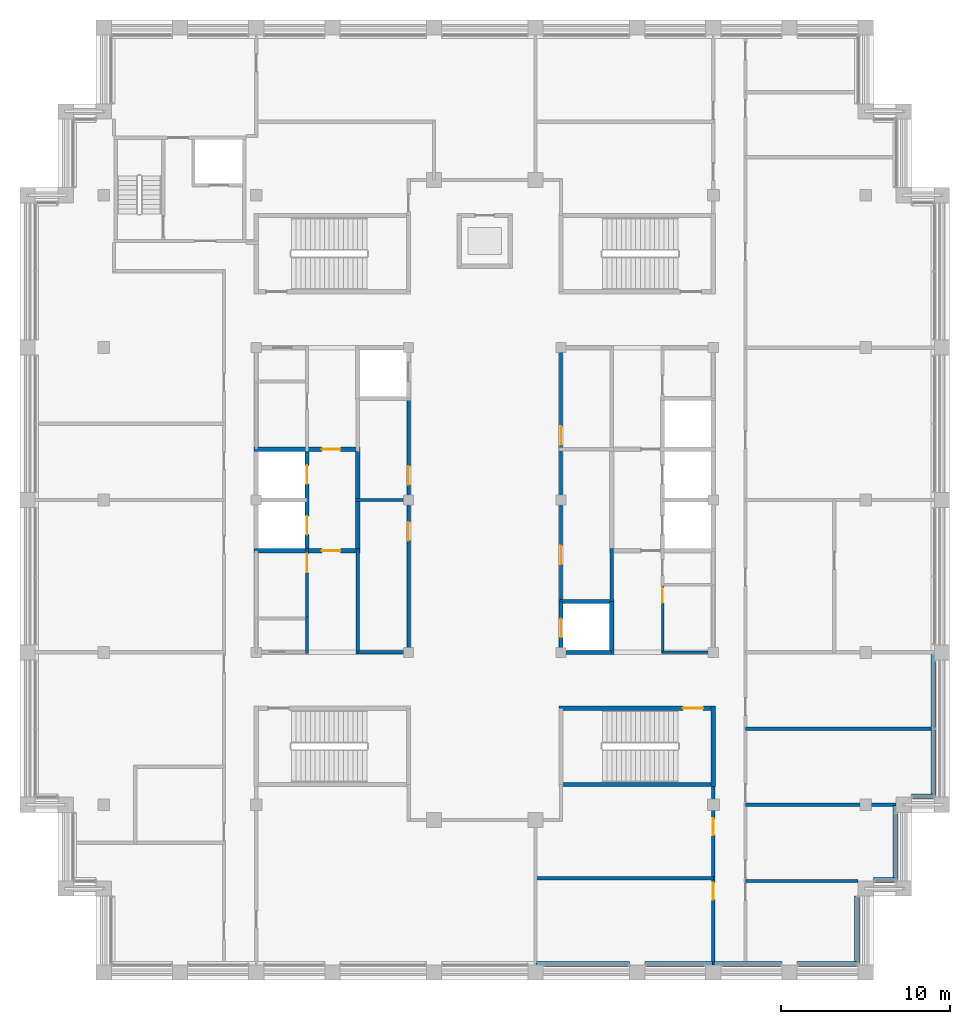
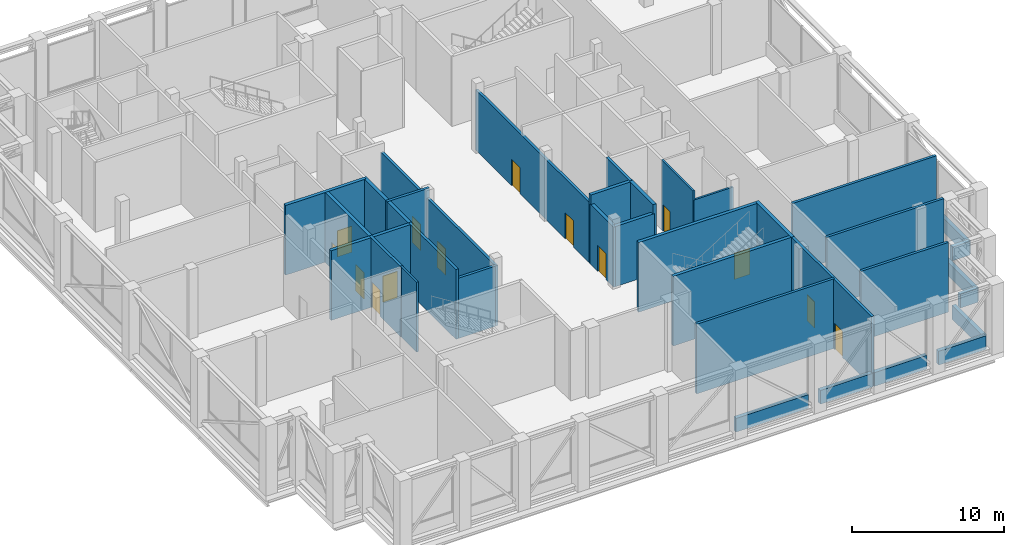
# One storey, part 12 of 17: 35 walls, 14 doors, 14 openings.
"""IFC4 building model written with IfcOpenShell, lengths in metres."""

import ifcopenshell
import ifcopenshell.guid

model = None  # the IFC model being written
_history = None  # IfcOwnerHistory: only IFC2X3 demands one
_inside = {}  # id of a spatial element -> (the spatial element, [elements in it])
_under = {}  # id of a project, library or spatial element -> (it, [spatial elements below it])
_declared = {}  # id of a project -> (the project, [libraries it declares])
_typed = {}  # id of a type object -> (the type object, [elements of that type])
_made_of = {}  # id of a material, layer set ... -> (it, [elements and type objects made of it])


def new_model(schema):
    """Start an empty IFC model of exactly this schema.

    Asked for "IFC4X3", IfcOpenShell would pick the latest addendum, in which some entities
    have other attributes; the version numbers below select the first issue.
    IFC2X3 requires an IfcOwnerHistory on every rooted entity: one is made here for all.
    """
    global model, _history
    if schema == "IFC4X3":
        model = ifcopenshell.file(schema_version=(4, 3, 0, 0))
    else:
        model = ifcopenshell.file(schema=schema)
    _inside.clear()
    _under.clear()
    _declared.clear()
    _typed.clear()
    _made_of.clear()
    _history = None
    if model.schema == "IFC2X3":
        org = make("IfcOrganization", Name="unknown")
        user = make(
            "IfcPersonAndOrganization",
            ThePerson=make("IfcPerson", FamilyName="unknown"),
            TheOrganization=org,
        )
        app = make(
            "IfcApplication",
            ApplicationDeveloper=org,
            Version="unknown",
            ApplicationFullName="unknown",
            ApplicationIdentifier="unknown",
        )
        _history = make(
            "IfcOwnerHistory",
            OwningUser=user,
            OwningApplication=app,
            ChangeAction="ADDED",
            CreationDate=0,
        )
    return model


def make(cls, **values):
    """One entity of the class cls with the attributes given. An attribute that is None is left unset."""
    return model.create_entity(
        cls, **{name: value for name, value in values.items() if value is not None}
    )


def rooted(cls, **values):
    """An entity with a GlobalId (a new one), such as an element, a storey or a relation."""
    return make(cls, GlobalId=ifcopenshell.guid.new(), OwnerHistory=_history, **values)


def si_unit(unit_type, name, prefix=None):
    """IfcSIUnit, for example si_unit("LENGTHUNIT", "METRE", prefix="MILLI")."""
    return make("IfcSIUnit", UnitType=unit_type, Prefix=prefix, Name=name)


def assignment(units):
    """IfcUnitAssignment: the units of a project."""
    return None if units is None else make("IfcUnitAssignment", Units=units)


def point(xyz):
    """IfcCartesianPoint."""
    return None if xyz is None else make("IfcCartesianPoint", Coordinates=xyz)


def direction(xyz):
    """IfcDirection."""
    return None if xyz is None else make("IfcDirection", DirectionRatios=xyz)


def frame(location, z_axis=None, x_axis=None):
    """IfcAxis2Placement3D, a coordinate frame: its origin and axes. An axis left out is left unset."""
    return make(
        "IfcAxis2Placement3D",
        Location=point(location),
        Axis=direction(z_axis),
        RefDirection=direction(x_axis),
    )


def frame_2d(location, x_axis=None):
    """IfcAxis2Placement2D, a coordinate frame in the plane: its origin and x axis."""
    return make(
        "IfcAxis2Placement2D", Location=point(location), RefDirection=direction(x_axis)
    )


def origin():
    """The frame at (0, 0, 0) with its axes left unset."""
    return frame((0.0, 0.0, 0.0))


def place(relative_to, where):
    """IfcLocalPlacement: puts the frame where relative to a parent placement (None: the world)."""
    return make(
        "IfcLocalPlacement", PlacementRelTo=relative_to, RelativePlacement=where
    )


def context(
    kind, dimensions, precision=None, world=None, true_north=None, identifier=None
):
    """IfcGeometricRepresentationContext, for example the 3D "Model" context."""
    return make(
        "IfcGeometricRepresentationContext",
        ContextIdentifier=identifier,
        ContextType=kind,
        CoordinateSpaceDimension=dimensions,
        Precision=precision,
        WorldCoordinateSystem=world,
        TrueNorth=true_north,
    )


def subcontext(parent, identifier, kind, view, scale=None):
    """IfcGeometricRepresentationSubContext, for example "Body" below "Model"."""
    return make(
        "IfcGeometricRepresentationSubContext",
        ContextIdentifier=identifier,
        ContextType=kind,
        ParentContext=parent,
        TargetScale=scale,
        TargetView=view,
    )


def project(units=None, contexts=None):
    """IfcProject with its units and contexts."""
    return rooted(
        "IfcProject",
        Name="project",
        RepresentationContexts=contexts,
        UnitsInContext=assignment(units),
    )


def spatial(cls, under=None, at=None, **own):
    """A site, building, storey or space (cls), placed at a placement, below another one or the project."""
    s = rooted(cls, ObjectPlacement=at, **own)
    if under is not None:
        _under.setdefault(under.id(), (under, []))[1].append(s)
    return s


def profile(cls, at=None, kind="AREA", **sizes):
    """A parametric profile (cls). Its sizes go by their IFC names, for example OverallWidth=200.0."""
    return make(cls, ProfileType=kind, Position=at, **sizes)


def rectangle(**sizes):
    """IfcRectangleProfileDef."""
    return profile("IfcRectangleProfileDef", **sizes)


def extrude(swept, where, along, depth):
    """IfcExtrudedAreaSolid: the profile swept, set in the frame where, extruded along a direction by depth."""
    return make(
        "IfcExtrudedAreaSolid",
        SweptArea=swept,
        Position=where,
        ExtrudedDirection=direction(along),
        Depth=depth,
    )


def shape(context_of_items, identifier, shape_type, items):
    """IfcShapeRepresentation: the items that make up one representation, for example the "Body"."""
    return make(
        "IfcShapeRepresentation",
        ContextOfItems=context_of_items,
        RepresentationIdentifier=identifier,
        RepresentationType=shape_type,
        Items=items,
    )


def material(Name=None, Category=None):
    """IfcMaterial."""
    return make("IfcMaterial", Name=Name, Category=Category)


def layer(
    of_material, thickness, ventilated=None, Name=None, Category=None, Priority=None
):
    """IfcMaterialLayer: one layer of a wall or slab, of a material (None: an air gap)."""
    return make(
        "IfcMaterialLayer",
        Material=of_material,
        LayerThickness=thickness,
        IsVentilated=ventilated,
        Name=Name,
        Category=Category,
        Priority=Priority,
    )


def layer_set(layers, Name=None):
    """IfcMaterialLayerSet."""
    return make("IfcMaterialLayerSet", MaterialLayers=layers, LayerSetName=Name)


def made_of(thing, what):
    """Note that an element or type object is made of a material, layer set ...; save() writes the relation."""
    if what is not None:
        _made_of.setdefault(what.id(), (what, []))[1].append(thing)
    return thing


def type_object(cls, material=None, **own):
    """A type object (cls), such as IfcWallType, which elements share."""
    return made_of(rooted(cls, **own), material)


def element(
    cls,
    number,
    at=None,
    inside=None,
    cuts=None,
    type_object=None,
    material=None,
    context=None,
    identifier="Body",
    shape_type=None,
    held_by="IfcProductDefinitionShape",
    body=None,
    shapes=None,
    **own,
):
    """One element of the class cls, such as IfcWall. Its Tag is "e" and its number.

    at: its placement. inside: the storey or other place that contains it. cuts: it is an
    opening in that element (IfcRelVoidsElement). A single representation is given by context,
    identifier, shape_type and body (its items); several are given by shapes. held_by: the class
    of the entity that holds the representations. save() writes the other relations.
    """
    e = rooted(cls, Tag="e%d" % number, ObjectPlacement=at, **own)
    if body is not None:
        shapes = [shape(context, identifier, shape_type, body)]
    if shapes is not None:
        e.Representation = make(held_by, Representations=shapes)
    if inside is not None:
        _inside.setdefault(inside.id(), (inside, []))[1].append(e)
    if cuts is not None:
        rooted(
            "IfcRelVoidsElement", RelatingBuildingElement=cuts, RelatedOpeningElement=e
        )
    if type_object is not None:
        _typed.setdefault(type_object.id(), (type_object, []))[1].append(e)
    return made_of(e, material)


def fill(opening, filler):
    """IfcRelFillsElement: the door or window that sits in an opening."""
    return rooted(
        "IfcRelFillsElement",
        RelatingOpeningElement=opening,
        RelatedBuildingElement=filler,
    )


def aggregate(whole, parts):
    """IfcRelAggregates: a whole, such as a stair, and the parts it consists of."""
    return rooted("IfcRelAggregates", RelatingObject=whole, RelatedObjects=parts)


def save(model, path):
    """Write the relations noted so far, then the file.

    IfcRelAggregates (storeys below a building ...), IfcRelContainedInSpatialStructure (elements
    in a storey), IfcRelDefinesByType, IfcRelAssociatesMaterial and IfcRelDeclares: one each for
    every whole, place, type object, material and project.
    """
    for whole, parts in _under.values():
        aggregate(whole, parts)
    for where, things in _inside.values():
        rooted(
            "IfcRelContainedInSpatialStructure",
            RelatedElements=things,
            RelatingStructure=where,
        )
    for kind, things in _typed.values():
        rooted("IfcRelDefinesByType", RelatedObjects=things, RelatingType=kind)
    for what, things in _made_of.values():
        rooted("IfcRelAssociatesMaterial", RelatedObjects=things, RelatingMaterial=what)
    for by, libraries in _declared.values():
        rooted("IfcRelDeclares", RelatingContext=by, RelatedDefinitions=libraries)
    model.write(path)


model = new_model("IFC4")

# Units and contexts
model_context = context("Model", 3, precision=1e-05, world=origin(), true_north=direction((0.0, 1.0)))
body_context = subcontext(model_context, "Body", "Model", "MODEL_VIEW")
ifc_project = project(units=[si_unit("LENGTHUNIT", "METRE"), si_unit("AREAUNIT", "SQUARE_METRE"), si_unit("VOLUMEUNIT", "CUBIC_METRE"), si_unit("PLANEANGLEUNIT", "RADIAN"), si_unit("MASSUNIT", "GRAM", prefix="KILO")], contexts=[model_context])

# Site, building, storey
site_placement = place(None, origin())
site = spatial("IfcSite", under=ifc_project, at=site_placement, CompositionType="ELEMENT")
building_placement = place(site_placement, origin())
building = spatial("IfcBuilding", under=site, at=building_placement, Name="Corbelhall Arena Tower", CompositionType="ELEMENT")
storey_placement = place(building_placement, frame((0.0, 0.0, 350.0)))
storey = spatial("IfcBuildingStorey", under=building, at=storey_placement, Name="L77", CompositionType="ELEMENT", Elevation=350.0)

# Walls
ifc_material_1 = material(Name="Precast concrete C40/50 with granite facing", Category="masonry")
ifc_layer_1 = layer(ifc_material_1, 0.300048828125)
ifc_layer_set_1 = layer_set([ifc_layer_1], Name="EV-IW1 Infill panel 300")
wall_type_1 = type_object("IfcWallType", Name="EV-IW1 Infill panel 300", PredefinedType="SOLIDWALL", material=ifc_layer_set_1)
wall_1_placement = place(storey_placement, frame((3.050048828125, -27.39990234375, 0.0), z_axis=(0.0, 0.0, 1.0), x_axis=(1.0, 0.0, 0.0)))
element("IfcWall", 1, at=wall_1_placement, inside=storey, type_object=wall_type_1, Name="Infill panel IW1", PredefinedType="SOLIDWALL", context=body_context, shape_type="SweptSolid", body=[
    extrude(rectangle(XDim=5.5, YDim=0.300048828125, at=frame_2d((2.75, 0.0))), origin(), (0.0, 0.0, 1.0), 1.10009765625),
])
for number, where, z_axis, x_axis, name in (
    (2, (9.449951171875, -27.39990234375, 0.0), (0.0, 0.0, 1.0), (1.0, 0.0, 0.0), "Infill panel IW1"),
    (3, (13.550048828125, -27.39990234375, 0.0), (0.0, 0.0, 1.0), (1.0, 0.0, 0.0), "Infill panel IW1"),
):
    element("IfcWall", number, at=place(storey_placement, frame(where, z_axis=z_axis, x_axis=x_axis)), inside=storey, type_object=wall_type_1, Name=name, PredefinedType="SOLIDWALL", context=body_context, shape_type="SweptSolid", body=[
        extrude(rectangle(XDim=4.0, YDim=0.300048828125, at=frame_2d((2.0, 0.0))), origin(), (0.0, 0.0, 1.0), 1.10009765625),
    ])
wall_2_placement = place(storey_placement, frame((18.449951171875, -27.39990234375, 0.0), z_axis=(0.0, 0.0, 1.0), x_axis=(1.0, 0.0, 0.0)))
element("IfcWall", 4, at=wall_2_placement, inside=storey, type_object=wall_type_1, Name="Infill panel IW1", PredefinedType="SOLIDWALL", context=body_context, shape_type="SweptSolid", body=[
    extrude(rectangle(XDim=3.60009765625, YDim=0.300048828125, at=frame_2d((1.800048828125, 0.0))), origin(), (0.0, 0.0, 1.0), 1.10009765625),
])
wall_3_placement = place(storey_placement, frame((22.0, -27.449951171875, 0.0), z_axis=(0.0, 0.0, 1.0), x_axis=(0.0, 1.0, 0.0)))
element("IfcWall", 5, at=wall_3_placement, inside=storey, type_object=wall_type_1, Name="Infill panel IW1", PredefinedType="SOLIDWALL", context=body_context, shape_type="SweptSolid", body=[
    extrude(rectangle(XDim=4.050048828125, YDim=0.300048828125, at=frame_2d((2.02490234375, 0.0))), origin(), (0.0, 0.0, 1.0), 1.10009765625),
])
wall_4_placement = place(storey_placement, frame((22.949951171875, -22.449951171875, 0.0), z_axis=(0.0, 0.0, 1.0), x_axis=(1.0, 0.0, 0.0)))
element("IfcWall", 6, at=wall_4_placement, inside=storey, type_object=wall_type_1, Name="Infill panel IW1", PredefinedType="SOLIDWALL", context=body_context, shape_type="SweptSolid", body=[
    extrude(rectangle(XDim=1.35009765625, YDim=0.300048828125, at=frame_2d((0.675048828125, 0.0))), origin(), (0.0, 0.0, 1.0), 1.10009765625),
])
wall_5_placement = place(storey_placement, frame((24.25, -22.5, 0.0), z_axis=(0.0, 0.0, 1.0), x_axis=(0.0, 1.0, 0.0)))
element("IfcWall", 7, at=wall_5_placement, inside=storey, type_object=wall_type_1, Name="Infill panel IW1", PredefinedType="SOLIDWALL", context=body_context, shape_type="SweptSolid", body=[
    extrude(rectangle(XDim=4.449951171875, YDim=0.300048828125, at=frame_2d((2.22509765625, 0.0))), origin(), (0.0, 0.0, 1.0), 1.10009765625),
])
wall_6_placement = place(storey_placement, frame((25.199951171875, -17.5, 0.0), z_axis=(0.0, 0.0, 1.0), x_axis=(1.0, 0.0, 0.0)))
element("IfcWall", 8, at=wall_6_placement, inside=storey, type_object=wall_type_1, Name="Infill panel IW1", PredefinedType="SOLIDWALL", context=body_context, shape_type="SweptSolid", body=[
    extrude(rectangle(XDim=1.35009765625, YDim=0.300048828125, at=frame_2d((0.675048828125, 0.0))), origin(), (0.0, 0.0, 1.0), 1.10009765625),
])
wall_7_placement = place(storey_placement, frame((26.5, -17.550048828125, 0.0), z_axis=(0.0, 0.0, 1.0), x_axis=(0.0, 1.0, 0.0)))
element("IfcWall", 9, at=wall_7_placement, inside=storey, type_object=wall_type_1, Name="Infill panel IW1", PredefinedType="SOLIDWALL", context=body_context, shape_type="SweptSolid", body=[
    extrude(rectangle(XDim=8.5, YDim=0.300048828125, at=frame_2d((4.25, 0.0))), origin(), (0.0, 0.0, 1.0), 1.10009765625),
])
ifc_material_2 = material(Name="Gypsum board on steel stud, acoustic", Category="steel")
ifc_layer_2 = layer(ifc_material_2, 0.199951171875)
ifc_layer_set_2 = layer_set([ifc_layer_2], Name="IN-W-DM200")
wall_type_2 = type_object("IfcWallType", Name="IN-W-DM200", PredefinedType="PARTITIONING", material=ifc_layer_set_2)
wall_8_placement = place(storey_placement, frame((3.0, -22.35009765625, 0.0), z_axis=(0.0, 0.0, 1.0), x_axis=(1.0, 0.0, 0.0)))
element("IfcWall", 10, at=wall_8_placement, inside=storey, type_object=wall_type_2, Name="Partition 021", PredefinedType="PARTITIONING", context=body_context, shape_type="SweptSolid", body=[
    extrude(rectangle(XDim=10.5, YDim=0.199951171875, at=frame_2d((5.25, 0.0))), origin(), (0.0, 0.0, 1.0), 5.599609375),
])

# Wall, openings, doors
wall_9_placement = place(storey_placement, frame((13.5, -27.449951171875, 0.0), z_axis=(0.0, 0.0, 1.0), x_axis=(0.0, 1.0, 0.0)))
wall_9 = element("IfcWall", 11, at=wall_9_placement, inside=storey, type_object=wall_type_2, Name="Partition 027", PredefinedType="PARTITIONING", context=body_context, shape_type="SweptSolid", body=[
    extrude(rectangle(XDim=10.77490234375, YDim=0.199951171875, at=frame_2d((5.387451171875, 0.0))), origin(), (0.0, 0.0, 1.0), 5.599609375),
])
opening_1_placement = place(wall_9_placement, frame((3.85009765625, 0.0, 0.0)))
opening_1 = element("IfcOpeningElement", 12, at=opening_1_placement, cuts=wall_9, Name="Opening 31024", PredefinedType="OPENING", context=body_context, shape_type="SweptSolid", body=[
    extrude(rectangle(XDim=1.0, YDim=2.10009765625, at=frame_2d((0.5, 1.050048828125))), frame((0.0, 0.10009765625, 0.0), z_axis=(0.0, -1.0, 0.0), x_axis=(1.0, 0.0, 0.0)), (0.0, 0.0, 1.0), 0.199951171875),
])
opening_2_placement = place(wall_9_placement, frame((7.64990234375, 0.0, 0.0)))
opening_2 = element("IfcOpeningElement", 13, at=opening_2_placement, cuts=wall_9, Name="Opening 31025", PredefinedType="OPENING", context=body_context, shape_type="SweptSolid", body=[
    extrude(rectangle(XDim=1.0, YDim=2.10009765625, at=frame_2d((0.5, 1.050048828125))), frame((0.0, 0.10009765625, 0.0), z_axis=(0.0, -1.0, 0.0), x_axis=(1.0, 0.0, 0.0)), (0.0, 0.0, 1.0), 0.199951171875),
])
ifc_material_3 = material(Name="Steel door set", Category="steel")
door_type_1 = type_object("IfcDoorType", Name="IN-D-SW100", OperationType="NOTDEFINED", PredefinedType="DOOR", material=ifc_material_3)
door_1_placement = place(opening_1_placement, origin())
door_1 = element("IfcDoor", 14, at=door_1_placement, inside=storey, type_object=door_type_1, Name="Door 024", OperationType="SINGLE_SWING_LEFT", OverallHeight=2.10009765625, OverallWidth=1.0, PredefinedType="DOOR", context=body_context, shape_type="SweptSolid", body=[
    extrude(rectangle(XDim=1.0, YDim=2.10009765625, at=frame_2d((0.5, 1.050048828125))), frame((0.0, 0.02490234375, 0.0), z_axis=(0.0, -1.0, 0.0), x_axis=(1.0, 0.0, 0.0)), (0.0, 0.0, 1.0), 0.050048828125),
])
fill(opening_1, door_1)
door_2_placement = place(opening_2_placement, origin())
door_2 = element("IfcDoor", 15, at=door_2_placement, inside=storey, type_object=door_type_1, Name="Door 025", OperationType="SINGLE_SWING_RIGHT", OverallHeight=2.10009765625, OverallWidth=1.0, PredefinedType="DOOR", context=body_context, shape_type="SweptSolid", body=[
    extrude(rectangle(XDim=1.0, YDim=2.10009765625, at=frame_2d((0.5, 1.050048828125))), frame((0.0, 0.02490234375, 0.0), z_axis=(0.0, -1.0, 0.0), x_axis=(1.0, 0.0, 0.0)), (0.0, 0.0, 1.0), 0.050048828125),
])
fill(opening_2, door_2)

# Walls
wall_10_placement = place(storey_placement, frame((15.39990234375, -22.5, 0.0), z_axis=(0.0, 0.0, 1.0), x_axis=(1.0, 0.0, 0.0)))
element("IfcWall", 16, at=wall_10_placement, inside=storey, type_object=wall_type_2, Name="Partition 029", PredefinedType="PARTITIONING", context=body_context, shape_type="SweptSolid", body=[
    extrude(rectangle(XDim=6.650146484375, YDim=0.199951171875, at=frame_2d((3.3251953125, 0.0))), origin(), (0.0, 0.0, 1.0), 5.599609375),
])
wall_11_placement = place(storey_placement, frame((15.39990234375, -18.0, 0.0), z_axis=(0.0, 0.0, 1.0), x_axis=(1.0, 0.0, 0.0)))
element("IfcWall", 17, at=wall_11_placement, inside=storey, type_object=wall_type_2, Name="Partition 031", PredefinedType="PARTITIONING", context=body_context, shape_type="SweptSolid", body=[
    extrude(rectangle(XDim=8.900146484375, YDim=0.199951171875, at=frame_2d((4.4501953125, 0.0))), origin(), (0.0, 0.0, 1.0), 5.599609375),
])
wall_12_placement = place(storey_placement, frame((15.39990234375, -13.5, 0.0), z_axis=(0.0, 0.0, 1.0), x_axis=(1.0, 0.0, 0.0)))
element("IfcWall", 18, at=wall_12_placement, inside=storey, type_object=wall_type_2, Name="Partition 032", PredefinedType="PARTITIONING", context=body_context, shape_type="SweptSolid", body=[
    extrude(rectangle(XDim=10.9501953125, YDim=0.199951171875, at=frame_2d((5.47509765625, 0.0))), origin(), (0.0, 0.0, 1.0), 5.599609375),
])

# Wall, opening, door
ifc_material_4 = material(Name="Concrete block wall", Category="concrete")
ifc_layer_3 = layer(ifc_material_4, 0.199951171875)
ifc_layer_set_3 = layer_set([ifc_layer_3], Name="IN-W-RS200")
wall_type_3 = type_object("IfcWallType", Name="IN-W-RS200", PredefinedType="SOLIDWALL", material=ifc_layer_set_3)
wall_13_placement = place(storey_placement, frame((-10.5, -7.074951171875, 0.0), z_axis=(0.0, 0.0, 1.0), x_axis=(0.0, 1.0, 0.0)))
wall_13 = element("IfcWall", 19, at=wall_13_placement, inside=storey, type_object=wall_type_3, Name="Partition 042", PredefinedType="SOLIDWALL", context=body_context, shape_type="SweptSolid", body=[
    extrude(rectangle(XDim=4.199951171875, YDim=0.199951171875, at=frame_2d((2.10009765625, 0.0))), origin(), (0.0, 0.0, 1.0), 5.599609375),
])
opening_3_placement = place(wall_13_placement, frame((2.800048828125, 0.0, 0.0)))
opening_3 = element("IfcOpeningElement", 20, at=opening_3_placement, cuts=wall_13, Name="Opening 31006", PredefinedType="OPENING", context=body_context, shape_type="SweptSolid", body=[
    extrude(rectangle(XDim=1.10009765625, YDim=2.10009765625, at=frame_2d((0.550048828125, 1.050048828125))), frame((0.0, 0.10009765625, 0.0), z_axis=(0.0, -1.0, 0.0), x_axis=(1.0, 0.0, 0.0)), (0.0, 0.0, 1.0), 0.199951171875),
])
door_type_2 = type_object("IfcDoorType", Name="IN-D-FD110", OperationType="NOTDEFINED", PredefinedType="DOOR", material=ifc_material_3)
door_3_placement = place(opening_3_placement, origin())
door_3 = element("IfcDoor", 21, at=door_3_placement, inside=storey, type_object=door_type_2, Name="Door 006", OperationType="SINGLE_SWING_LEFT", OverallHeight=2.10009765625, OverallWidth=1.10009765625, PredefinedType="DOOR", context=body_context, shape_type="SweptSolid", body=[
    extrude(rectangle(XDim=1.10009765625, YDim=2.10009765625, at=frame_2d((0.550048828125, 1.050048828125))), frame((0.0, 0.02490234375, 0.0), z_axis=(0.0, -1.0, 0.0), x_axis=(1.0, 0.0, 0.0)), (0.0, 0.0, 1.0), 0.050048828125),
])
fill(opening_3, door_3)

# Walls
wall_14_placement = place(storey_placement, frame((-7.625, 0.0, 0.0), z_axis=(0.0, 0.0, 1.0), x_axis=(1.0, 0.0, 0.0)))
element("IfcWall", 22, at=wall_14_placement, inside=storey, type_object=wall_type_3, Name="Partition 044", PredefinedType="SOLIDWALL", context=body_context, shape_type="SweptSolid", body=[
    extrude(rectangle(XDim=3.22509765625, YDim=0.199951171875, at=frame_2d((1.612548828125, 0.0))), origin(), (0.0, 0.0, 1.0), 5.599609375),
])
wall_15_placement = place(storey_placement, frame((-7.5, -9.10009765625, 0.0), z_axis=(0.0, 0.0, 1.0), x_axis=(0.0, 1.0, 0.0)))
element("IfcWall", 23, at=wall_15_placement, inside=storey, type_object=wall_type_3, Name="Partition 045", PredefinedType="SOLIDWALL", context=body_context, shape_type="SweptSolid", body=[
    extrude(rectangle(XDim=6.22509765625, YDim=0.199951171875, at=frame_2d((3.112548828125, 0.0))), origin(), (0.0, 0.0, 1.0), 5.599609375),
])
wall_16_placement = place(storey_placement, frame((7.5, -2.875, 0.0), z_axis=(0.0, 0.0, 1.0), x_axis=(0.0, -1.0, 0.0)))
element("IfcWall", 24, at=wall_16_placement, inside=storey, type_object=wall_type_3, Name="Partition 052", PredefinedType="SOLIDWALL", context=body_context, shape_type="SweptSolid", body=[
    extrude(rectangle(XDim=3.125, YDim=0.199951171875, at=frame_2d((1.5625, 0.0))), origin(), (0.0, 0.0, 1.0), 5.599609375),
])
ifc_layer_4 = layer(ifc_material_4, 0.199951171875)
ifc_layer_set_4 = layer_set([ifc_layer_4], Name="IN-W-RS200 under beam 762 mm")
wall_type_4 = type_object("IfcWallType", Name="IN-W-RS200 under beam 762 mm", PredefinedType="SOLIDWALL", material=ifc_layer_set_4)
wall_17_placement = place(storey_placement, frame((-4.5, -9.0, 0.0), z_axis=(0.0, 0.0, 1.0), x_axis=(-1.0, 0.0, 0.0)))
element("IfcWall", 25, at=wall_17_placement, inside=storey, type_object=wall_type_4, Name="Partition 047", PredefinedType="SOLIDWALL", context=body_context, shape_type="SweptSolid", body=[
    extrude(rectangle(XDim=3.0, YDim=0.199951171875, at=frame_2d((1.5, 0.0))), origin(), (0.0, 0.0, 1.0), 4.837646484375),
])

# Wall, openings, doors
wall_18_placement = place(storey_placement, frame((-4.5, 6.0, 0.0), z_axis=(0.0, 0.0, 1.0), x_axis=(0.0, -1.0, 0.0)))
wall_18 = element("IfcWall", 26, at=wall_18_placement, inside=storey, type_object=wall_type_4, Name="Partition 048", PredefinedType="SOLIDWALL", context=body_context, shape_type="SweptSolid", body=[
    extrude(rectangle(XDim=15.10009765625, YDim=0.199951171875, at=frame_2d((7.550048828125, 0.0))), origin(), (0.0, 0.0, 1.0), 4.837646484375),
])
opening_4_placement = place(wall_18_placement, frame((7.300048828125, 0.0, 0.0)))
opening_4 = element("IfcOpeningElement", 27, at=opening_4_placement, cuts=wall_18, Name="Opening 31001", PredefinedType="OPENING", context=body_context, shape_type="SweptSolid", body=[
    extrude(rectangle(XDim=1.10009765625, YDim=2.10009765625, at=frame_2d((0.550048828125, 1.050048828125))), frame((0.0, 0.10009765625, 0.0), z_axis=(0.0, -1.0, 0.0), x_axis=(1.0, 0.0, 0.0)), (0.0, 0.0, 1.0), 0.199951171875),
])
opening_5_placement = place(wall_18_placement, frame((4.0, 0.0, 0.0)))
opening_5 = element("IfcOpeningElement", 28, at=opening_5_placement, cuts=wall_18, Name="Opening 31002", PredefinedType="OPENING", context=body_context, shape_type="SweptSolid", body=[
    extrude(rectangle(XDim=1.10009765625, YDim=2.10009765625, at=frame_2d((0.550048828125, 1.050048828125))), frame((0.0, 0.10009765625, 0.0), z_axis=(0.0, -1.0, 0.0), x_axis=(1.0, 0.0, 0.0)), (0.0, 0.0, 1.0), 0.199951171875),
])
door_4_placement = place(opening_4_placement, origin())
door_4 = element("IfcDoor", 29, at=door_4_placement, inside=storey, type_object=door_type_2, Name="Door 001", OperationType="SINGLE_SWING_RIGHT", OverallHeight=2.10009765625, OverallWidth=1.10009765625, PredefinedType="DOOR", context=body_context, shape_type="SweptSolid", body=[
    extrude(rectangle(XDim=1.10009765625, YDim=2.10009765625, at=frame_2d((0.550048828125, 1.050048828125))), frame((0.0, 0.02490234375, 0.0), z_axis=(0.0, -1.0, 0.0), x_axis=(1.0, 0.0, 0.0)), (0.0, 0.0, 1.0), 0.050048828125),
])
fill(opening_4, door_4)
door_5_placement = place(opening_5_placement, origin())
door_5 = element("IfcDoor", 30, at=door_5_placement, inside=storey, type_object=door_type_2, Name="Door 002", OperationType="SINGLE_SWING_LEFT", OverallHeight=2.10009765625, OverallWidth=1.10009765625, PredefinedType="DOOR", context=body_context, shape_type="SweptSolid", body=[
    extrude(rectangle(XDim=1.10009765625, YDim=2.10009765625, at=frame_2d((0.550048828125, 1.050048828125))), frame((0.0, 0.02490234375, 0.0), z_axis=(0.0, -1.0, 0.0), x_axis=(1.0, 0.0, 0.0)), (0.0, 0.0, 1.0), 0.050048828125),
])
fill(opening_5, door_5)

wall_19_placement = place(storey_placement, frame((4.5, -6.0, 0.0), z_axis=(0.0, 0.0, 1.0), x_axis=(0.0, 1.0, 0.0)))
wall_19 = element("IfcWall", 31, at=wall_19_placement, inside=storey, type_object=wall_type_4, Name="Partition 050", PredefinedType="SOLIDWALL", context=body_context, shape_type="SweptSolid", body=[
    extrude(rectangle(XDim=15.10009765625, YDim=0.199951171875, at=frame_2d((7.550048828125, 0.0))), origin(), (0.0, 0.0, 1.0), 4.837646484375),
])
opening_6_placement = place(wall_19_placement, frame((2.199951171875, 0.0, 0.0)))
opening_6 = element("IfcOpeningElement", 32, at=opening_6_placement, cuts=wall_19, Name="Opening 31009", PredefinedType="OPENING", context=body_context, shape_type="SweptSolid", body=[
    extrude(rectangle(XDim=1.10009765625, YDim=2.10009765625, at=frame_2d((0.550048828125, 1.050048828125))), frame((0.0, 0.10009765625, 0.0), z_axis=(0.0, -1.0, 0.0), x_axis=(1.0, 0.0, 0.0)), (0.0, 0.0, 1.0), 0.199951171875),
])
opening_7_placement = place(wall_19_placement, frame((9.25, 0.0, 0.0)))
opening_7 = element("IfcOpeningElement", 33, at=opening_7_placement, cuts=wall_19, Name="Opening 31010", PredefinedType="OPENING", context=body_context, shape_type="SweptSolid", body=[
    extrude(rectangle(XDim=1.10009765625, YDim=2.10009765625, at=frame_2d((0.550048828125, 1.050048828125))), frame((0.0, 0.10009765625, 0.0), z_axis=(0.0, -1.0, 0.0), x_axis=(1.0, 0.0, 0.0)), (0.0, 0.0, 1.0), 0.199951171875),
])
door_6_placement = place(opening_6_placement, origin())
door_6 = element("IfcDoor", 34, at=door_6_placement, inside=storey, type_object=door_type_2, Name="Door 009", OperationType="SINGLE_SWING_RIGHT", OverallHeight=2.10009765625, OverallWidth=1.10009765625, PredefinedType="DOOR", context=body_context, shape_type="SweptSolid", body=[
    extrude(rectangle(XDim=1.10009765625, YDim=2.10009765625, at=frame_2d((0.550048828125, 1.050048828125))), frame((0.0, 0.02490234375, 0.0), z_axis=(0.0, -1.0, 0.0), x_axis=(1.0, 0.0, 0.0)), (0.0, 0.0, 1.0), 0.050048828125),
])
fill(opening_6, door_6)
door_7_placement = place(opening_7_placement, origin())
door_7 = element("IfcDoor", 35, at=door_7_placement, inside=storey, type_object=door_type_2, Name="Door 010", OperationType="SINGLE_SWING_LEFT", OverallHeight=2.10009765625, OverallWidth=1.10009765625, PredefinedType="DOOR", context=body_context, shape_type="SweptSolid", body=[
    extrude(rectangle(XDim=1.10009765625, YDim=2.10009765625, at=frame_2d((0.550048828125, 1.050048828125))), frame((0.0, 0.02490234375, 0.0), z_axis=(0.0, -1.0, 0.0), x_axis=(1.0, 0.0, 0.0)), (0.0, 0.0, 1.0), 0.050048828125),
])
fill(opening_7, door_7)

# Wall, opening, door
ifc_material_5 = material(Name="Concrete C40/50", Category="concrete")
ifc_layer_5 = layer(ifc_material_5, 0.25)
ifc_layer_set_5 = layer_set([ifc_layer_5], Name="IN-W-SH250")
wall_type_5 = type_object("IfcWallType", Name="IN-W-SH250", PredefinedType="SOLIDWALL", material=ifc_layer_set_5)
wall_20_placement = place(storey_placement, frame((-13.625, 3.0, 0.0), z_axis=(0.0, 0.0, 1.0), x_axis=(1.0, 0.0, 0.0)))
wall_20 = element("IfcWall", 36, at=wall_20_placement, inside=storey, type_object=wall_type_5, Name="Shaft wall 060", PredefinedType="SOLIDWALL", context=body_context, shape_type="SweptSolid", body=[
    extrude(rectangle(XDim=6.125, YDim=0.25, at=frame_2d((3.0625, 0.0))), origin(), (0.0, 0.0, 1.0), 5.599609375),
])
opening_8_placement = place(wall_20_placement, frame((4.0, 0.0, 0.0)))
opening_8 = element("IfcOpeningElement", 37, at=opening_8_placement, cuts=wall_20, Name="Opening 31004", PredefinedType="OPENING", context=body_context, shape_type="SweptSolid", body=[
    extrude(rectangle(XDim=1.10009765625, YDim=2.10009765625, at=frame_2d((0.550048828125, 1.050048828125))), frame((0.0, 0.125, 0.0), z_axis=(0.0, -1.0, 0.0), x_axis=(1.0, 0.0, 0.0)), (0.0, 0.0, 1.0), 0.25),
])
door_8_placement = place(opening_8_placement, origin())
door_8 = element("IfcDoor", 38, at=door_8_placement, inside=storey, type_object=door_type_2, Name="Door 004", OperationType="SINGLE_SWING_LEFT", OverallHeight=2.10009765625, OverallWidth=1.10009765625, PredefinedType="DOOR", context=body_context, shape_type="SweptSolid", body=[
    extrude(rectangle(XDim=1.10009765625, YDim=2.10009765625, at=frame_2d((0.550048828125, 1.050048828125))), frame((0.0, 0.02490234375, 0.0), z_axis=(0.0, -1.0, 0.0), x_axis=(1.0, 0.0, 0.0)), (0.0, 0.0, 1.0), 0.050048828125),
])
fill(opening_8, door_8)

wall_21_placement = place(storey_placement, frame((-13.625, -3.0, 0.0), z_axis=(0.0, 0.0, 1.0), x_axis=(1.0, 0.0, 0.0)))
wall_21 = element("IfcWall", 39, at=wall_21_placement, inside=storey, type_object=wall_type_5, Name="Shaft wall 062", PredefinedType="SOLIDWALL", context=body_context, shape_type="SweptSolid", body=[
    extrude(rectangle(XDim=6.125, YDim=0.25, at=frame_2d((3.0625, 0.0))), origin(), (0.0, 0.0, 1.0), 5.599609375),
])
opening_9_placement = place(wall_21_placement, frame((4.0, 0.0, 0.0)))
opening_9 = element("IfcOpeningElement", 40, at=opening_9_placement, cuts=wall_21, Name="Opening 31003", PredefinedType="OPENING", context=body_context, shape_type="SweptSolid", body=[
    extrude(rectangle(XDim=1.10009765625, YDim=2.10009765625, at=frame_2d((0.550048828125, 1.050048828125))), frame((0.0, 0.125, 0.0), z_axis=(0.0, -1.0, 0.0), x_axis=(1.0, 0.0, 0.0)), (0.0, 0.0, 1.0), 0.25),
])
door_9_placement = place(opening_9_placement, origin())
door_9 = element("IfcDoor", 41, at=door_9_placement, inside=storey, type_object=door_type_2, Name="Door 003", OperationType="SINGLE_SWING_RIGHT", OverallHeight=2.10009765625, OverallWidth=1.10009765625, PredefinedType="DOOR", context=body_context, shape_type="SweptSolid", body=[
    extrude(rectangle(XDim=1.10009765625, YDim=2.10009765625, at=frame_2d((0.550048828125, 1.050048828125))), frame((0.0, 0.02490234375, 0.0), z_axis=(0.0, -1.0, 0.0), x_axis=(1.0, 0.0, 0.0)), (0.0, 0.0, 1.0), 0.050048828125),
])
fill(opening_9, door_9)

# Wall, openings, doors
wall_22_placement = place(storey_placement, frame((-10.5, -3.125, 0.0), z_axis=(0.0, 0.0, 1.0), x_axis=(0.0, 1.0, 0.0)))
wall_22 = element("IfcWall", 42, at=wall_22_placement, inside=storey, type_object=wall_type_5, Name="Shaft wall 063", PredefinedType="SOLIDWALL", context=body_context, shape_type="SweptSolid", body=[
    extrude(rectangle(XDim=6.25, YDim=0.25, at=frame_2d((3.125, 0.0))), origin(), (0.0, 0.0, 1.0), 5.599609375),
])
opening_10_placement = place(wall_22_placement, frame((1.074951171875, 0.0, 0.0)))
opening_10 = element("IfcOpeningElement", 43, at=opening_10_placement, cuts=wall_22, Name="Opening LD", PredefinedType="OPENING", context=body_context, shape_type="SweptSolid", body=[
    extrude(rectangle(XDim=1.10009765625, YDim=2.10009765625, at=frame_2d((0.550048828125, 1.050048828125))), frame((0.0, 0.125, 0.0), z_axis=(0.0, -1.0, 0.0), x_axis=(1.0, 0.0, 0.0)), (0.0, 0.0, 1.0), 0.25),
])
opening_11_placement = place(wall_22_placement, frame((4.074951171875, 0.0, 0.0)))
opening_11 = element("IfcOpeningElement", 44, at=opening_11_placement, cuts=wall_22, Name="Opening LD", PredefinedType="OPENING", context=body_context, shape_type="SweptSolid", body=[
    extrude(rectangle(XDim=1.10009765625, YDim=2.10009765625, at=frame_2d((0.550048828125, 1.050048828125))), frame((0.0, 0.125, 0.0), z_axis=(0.0, -1.0, 0.0), x_axis=(1.0, 0.0, 0.0)), (0.0, 0.0, 1.0), 0.25),
])
door_type_3 = type_object("IfcDoorType", Name="IN-D-LD110", OperationType="NOTDEFINED", PredefinedType="DOOR", material=ifc_material_3)
door_10_placement = place(opening_10_placement, origin())
door_10 = element("IfcDoor", 45, at=door_10_placement, inside=storey, type_object=door_type_3, Name="Landing door W3", OperationType="SLIDING_TO_LEFT", OverallHeight=2.10009765625, OverallWidth=1.10009765625, PredefinedType="DOOR", context=body_context, shape_type="SweptSolid", body=[
    extrude(rectangle(XDim=1.10009765625, YDim=2.10009765625, at=frame_2d((0.550048828125, 1.050048828125))), frame((0.0, 0.02490234375, 0.0), z_axis=(0.0, -1.0, 0.0), x_axis=(1.0, 0.0, 0.0)), (0.0, 0.0, 1.0), 0.050048828125),
])
fill(opening_10, door_10)
door_11_placement = place(opening_11_placement, origin())
door_11 = element("IfcDoor", 46, at=door_11_placement, inside=storey, type_object=door_type_3, Name="Landing door W4", OperationType="SLIDING_TO_LEFT", OverallHeight=2.10009765625, OverallWidth=1.10009765625, PredefinedType="DOOR", context=body_context, shape_type="SweptSolid", body=[
    extrude(rectangle(XDim=1.10009765625, YDim=2.10009765625, at=frame_2d((0.550048828125, 1.050048828125))), frame((0.0, 0.02490234375, 0.0), z_axis=(0.0, -1.0, 0.0), x_axis=(1.0, 0.0, 0.0)), (0.0, 0.0, 1.0), 0.050048828125),
])
fill(opening_11, door_11)

# Walls
wall_23_placement = place(storey_placement, frame((-7.5, -3.125, 0.0), z_axis=(0.0, 0.0, 1.0), x_axis=(0.0, 1.0, 0.0)))
element("IfcWall", 47, at=wall_23_placement, inside=storey, type_object=wall_type_5, Name="Shaft wall 065", PredefinedType="SOLIDWALL", context=body_context, shape_type="SweptSolid", body=[
    extrude(rectangle(XDim=6.25, YDim=0.25, at=frame_2d((3.125, 0.0))), origin(), (0.0, 0.0, 1.0), 5.599609375),
])
wall_24_placement = place(storey_placement, frame((4.375, -6.0, 0.0), z_axis=(0.0, 0.0, 1.0), x_axis=(1.0, 0.0, 0.0)))
element("IfcWall", 48, at=wall_24_placement, inside=storey, type_object=wall_type_5, Name="Shaft wall 073", PredefinedType="SOLIDWALL", context=body_context, shape_type="SweptSolid", body=[
    extrude(rectangle(XDim=3.25, YDim=0.25, at=frame_2d((1.625, 0.0))), origin(), (0.0, 0.0, 1.0), 5.599609375),
])
wall_25_placement = place(storey_placement, frame((7.5, -6.0, 0.0), z_axis=(0.0, 0.0, 1.0), x_axis=(0.0, -1.0, 0.0)))
element("IfcWall", 49, at=wall_25_placement, inside=storey, type_object=wall_type_5, Name="Shaft wall 076", PredefinedType="SOLIDWALL", context=body_context, shape_type="SweptSolid", body=[
    extrude(rectangle(XDim=3.125, YDim=0.25, at=frame_2d((1.5625, 0.0))), origin(), (0.0, 0.0, 1.0), 5.599609375),
])

# Wall, opening, door
ifc_layer_6 = layer(ifc_material_5, 0.25)
ifc_layer_set_6 = layer_set([ifc_layer_6], Name="IN-W-SH250 under beam 762 mm")
wall_type_6 = type_object("IfcWallType", Name="IN-W-SH250 under beam 762 mm", PredefinedType="SOLIDWALL", material=ifc_layer_set_6)
wall_26_placement = place(storey_placement, frame((4.5, -9.125, 0.0), z_axis=(0.0, 0.0, 1.0), x_axis=(0.0, 1.0, 0.0)))
wall_26 = element("IfcWall", 50, at=wall_26_placement, inside=storey, type_object=wall_type_6, Name="Shaft wall 074", PredefinedType="SOLIDWALL", context=body_context, shape_type="SweptSolid", body=[
    extrude(rectangle(XDim=3.125, YDim=0.25, at=frame_2d((1.5625, 0.0))), origin(), (0.0, 0.0, 1.0), 4.837646484375),
])
opening_12_placement = place(wall_26_placement, frame((1.012451171875, 0.0, 0.0)))
opening_12 = element("IfcOpeningElement", 51, at=opening_12_placement, cuts=wall_26, Name="Opening LD", PredefinedType="OPENING", context=body_context, shape_type="SweptSolid", body=[
    extrude(rectangle(XDim=1.10009765625, YDim=2.10009765625, at=frame_2d((0.550048828125, 1.050048828125))), frame((0.0, 0.125, 0.0), z_axis=(0.0, -1.0, 0.0), x_axis=(1.0, 0.0, 0.0)), (0.0, 0.0, 1.0), 0.25),
])
door_12_placement = place(opening_12_placement, origin())
door_12 = element("IfcDoor", 52, at=door_12_placement, inside=storey, type_object=door_type_3, Name="Landing door E1", OperationType="SLIDING_TO_LEFT", OverallHeight=2.10009765625, OverallWidth=1.10009765625, PredefinedType="DOOR", context=body_context, shape_type="SweptSolid", body=[
    extrude(rectangle(XDim=1.10009765625, YDim=2.10009765625, at=frame_2d((0.550048828125, 1.050048828125))), frame((0.0, 0.02490234375, 0.0), z_axis=(0.0, -1.0, 0.0), x_axis=(1.0, 0.0, 0.0)), (0.0, 0.0, 1.0), 0.050048828125),
])
fill(opening_12, door_12)

# Walls
wall_27_placement = place(storey_placement, frame((7.5, -9.0, 0.0), z_axis=(0.0, 0.0, 1.0), x_axis=(-1.0, 0.0, 0.0)))
element("IfcWall", 53, at=wall_27_placement, inside=storey, type_object=wall_type_6, Name="Shaft wall 075", PredefinedType="SOLIDWALL", context=body_context, shape_type="SweptSolid", body=[
    extrude(rectangle(XDim=3.0, YDim=0.25, at=frame_2d((1.5, 0.0))), origin(), (0.0, 0.0, 1.0), 4.837646484375),
])
ifc_layer_7 = layer(ifc_material_5, 0.25)
ifc_layer_set_7 = layer_set([ifc_layer_7], Name="IN-W-ST250")
wall_type_7 = type_object("IfcWallType", Name="IN-W-ST250", PredefinedType="SOLIDWALL", material=ifc_layer_set_7)
wall_28_placement = place(storey_placement, frame((13.5, -16.925048828125, 0.0), z_axis=(0.0, 0.0, 1.0), x_axis=(0.0, 1.0, 0.0)))
element("IfcWall", 54, at=wall_28_placement, inside=storey, type_object=wall_type_7, Name="Shaft wall 096", PredefinedType="SOLIDWALL", context=body_context, shape_type="SweptSolid", body=[
    extrude(rectangle(XDim=4.75, YDim=0.25, at=frame_2d((2.375, 0.0))), origin(), (0.0, 0.0, 1.0), 5.599609375),
])
wall_29_placement = place(storey_placement, frame((13.5, -16.800048828125, 0.0), z_axis=(0.0, 0.0, 1.0), x_axis=(-1.0, 0.0, 0.0)))
element("IfcWall", 55, at=wall_29_placement, inside=storey, type_object=wall_type_7, Name="Shaft wall 097", PredefinedType="SOLIDWALL", context=body_context, shape_type="SweptSolid", body=[
    extrude(rectangle(XDim=9.10009765625, YDim=0.25, at=frame_2d((4.550048828125, 0.0))), origin(), (0.0, 0.0, 1.0), 5.599609375),
])

# Wall, opening, door
wall_30_placement = place(storey_placement, frame((13.5, -12.300048828125, 0.0), z_axis=(0.0, 0.0, 1.0), x_axis=(-1.0, 0.0, 0.0)))
wall_30 = element("IfcWall", 56, at=wall_30_placement, inside=storey, type_object=wall_type_7, Name="Shaft wall 098", PredefinedType="SOLIDWALL", context=body_context, shape_type="SweptSolid", body=[
    extrude(rectangle(XDim=9.125, YDim=0.25, at=frame_2d((4.5625, 0.0))), origin(), (0.0, 0.0, 1.0), 5.599609375),
])
opening_13_placement = place(wall_30_placement, frame((0.60009765625, 0.0, 0.0)))
opening_13 = element("IfcOpeningElement", 57, at=opening_13_placement, cuts=wall_30, Name="Opening 31018", PredefinedType="OPENING", context=body_context, shape_type="SweptSolid", body=[
    extrude(rectangle(XDim=1.199951171875, YDim=2.10009765625, at=frame_2d((0.60009765625, 1.050048828125))), frame((0.0, 0.125, 0.0), z_axis=(0.0, -1.0, 0.0), x_axis=(1.0, 0.0, 0.0)), (0.0, 0.0, 1.0), 0.25),
])
door_type_4 = type_object("IfcDoorType", Name="IN-D-ST120", OperationType="NOTDEFINED", PredefinedType="DOOR", material=ifc_material_3)
door_13_placement = place(opening_13_placement, origin())
door_13 = element("IfcDoor", 58, at=door_13_placement, inside=storey, type_object=door_type_4, Name="Door 018", OperationType="SINGLE_SWING_LEFT", OverallHeight=2.10009765625, OverallWidth=1.199951171875, PredefinedType="DOOR", context=body_context, shape_type="SweptSolid", body=[
    extrude(rectangle(XDim=1.199951171875, YDim=2.10009765625, at=frame_2d((0.60009765625, 1.050048828125))), frame((0.0, 0.02490234375, 0.0), z_axis=(0.0, -1.0, 0.0), x_axis=(1.0, 0.0, 0.0)), (0.0, 0.0, 1.0), 0.050048828125),
])
fill(opening_13, door_13)

# Wall
ifc_material_6 = material(Name="Gypsum board on steel stud, moisture resistant", Category="steel")
ifc_layer_8 = layer(ifc_material_6, 0.14990234375)
ifc_layer_set_8 = layer_set([ifc_layer_8], Name="IN-W-WC150")
wall_type_8 = type_object("IfcWallType", Name="IN-W-WC150", PredefinedType="PARTITIONING", material=ifc_layer_set_8)
wall_31_placement = place(storey_placement, frame((-10.5, -9.074951171875, 0.0), z_axis=(0.0, 0.0, 1.0), x_axis=(0.0, 1.0, 0.0)))
element("IfcWall", 59, at=wall_31_placement, inside=storey, type_object=wall_type_8, Name="Partition 104", PredefinedType="PARTITIONING", context=body_context, shape_type="SweptSolid", body=[
    extrude(rectangle(XDim=2.14990234375, YDim=0.14990234375, at=frame_2d((1.074951171875, 0.0))), origin(), (0.0, 0.0, 1.0), 5.599609375),
])

# Wall, opening, door
wall_32_placement = place(storey_placement, frame((10.5, -4.925048828125, 0.0), z_axis=(0.0, 0.0, 1.0), x_axis=(0.0, -1.0, 0.0)))
wall_32 = element("IfcWall", 60, at=wall_32_placement, inside=storey, type_object=wall_type_8, Name="Partition 108", PredefinedType="PARTITIONING", context=body_context, shape_type="SweptSolid", body=[
    extrude(rectangle(XDim=4.14990234375, YDim=0.14990234375, at=frame_2d((2.074951171875, 0.0))), origin(), (0.0, 0.0, 1.0), 5.599609375),
])
opening_14_placement = place(wall_32_placement, frame((0.25, 0.0, 0.0)))
opening_14 = element("IfcOpeningElement", 61, at=opening_14_placement, cuts=wall_32, Name="Opening 31013", PredefinedType="OPENING", context=body_context, shape_type="SweptSolid", body=[
    extrude(rectangle(XDim=0.89990234375, YDim=2.10009765625, at=frame_2d((0.449951171875, 1.050048828125))), frame((0.0, 0.074951171875, 0.0), z_axis=(0.0, -1.0, 0.0), x_axis=(1.0, 0.0, 0.0)), (0.0, 0.0, 1.0), 0.14990234375),
])
ifc_material_7 = material(Name="Timber door set", Category="wood")
door_type_5 = type_object("IfcDoorType", Name="IN-D-SW90", OperationType="NOTDEFINED", PredefinedType="DOOR", material=ifc_material_7)
door_14_placement = place(opening_14_placement, origin())
door_14 = element("IfcDoor", 62, at=door_14_placement, inside=storey, type_object=door_type_5, Name="Door 013", OperationType="SINGLE_SWING_RIGHT", OverallHeight=2.10009765625, OverallWidth=0.89990234375, PredefinedType="DOOR", context=body_context, shape_type="SweptSolid", body=[
    extrude(rectangle(XDim=0.89990234375, YDim=2.10009765625, at=frame_2d((0.449951171875, 1.050048828125))), frame((0.0, 0.02490234375, 0.0), z_axis=(0.0, -1.0, 0.0), x_axis=(1.0, 0.0, 0.0)), (0.0, 0.0, 1.0), 0.050048828125),
])
fill(opening_14, door_14)

# Wall
ifc_layer_9 = layer(ifc_material_6, 0.14990234375)
ifc_layer_set_9 = layer_set([ifc_layer_9], Name="IN-W-WC150 under beam 762 mm")
wall_type_9 = type_object("IfcWallType", Name="IN-W-WC150 under beam 762 mm", PredefinedType="PARTITIONING", material=ifc_layer_set_9)
wall_33_placement = place(storey_placement, frame((13.5, -9.0, 0.0), z_axis=(0.0, 0.0, 1.0), x_axis=(-1.0, 0.0, 0.0)))
element("IfcWall", 63, at=wall_33_placement, inside=storey, type_object=wall_type_9, Name="Partition 109", PredefinedType="PARTITIONING", context=body_context, shape_type="SweptSolid", body=[
    extrude(rectangle(XDim=3.0, YDim=0.14990234375, at=frame_2d((1.5, 0.0))), origin(), (0.0, 0.0, 1.0), 4.837646484375),
])

save(model, "model.ifc")
